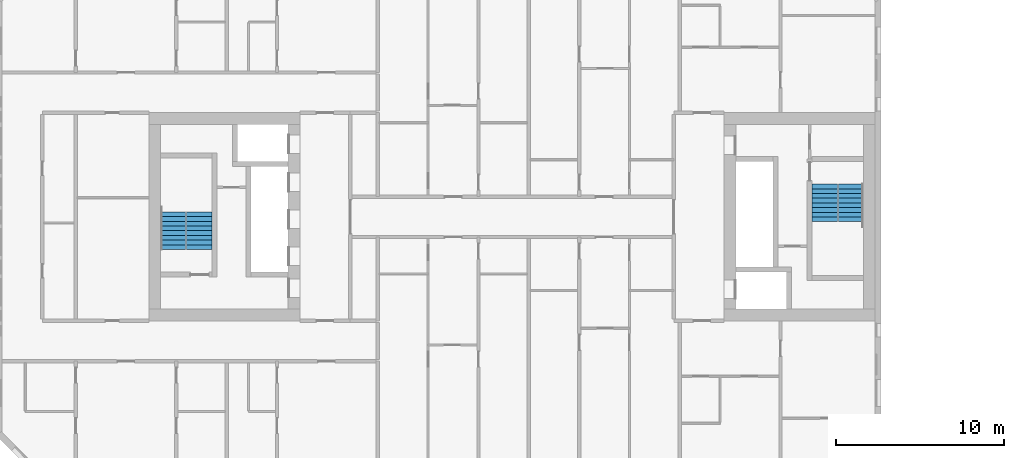
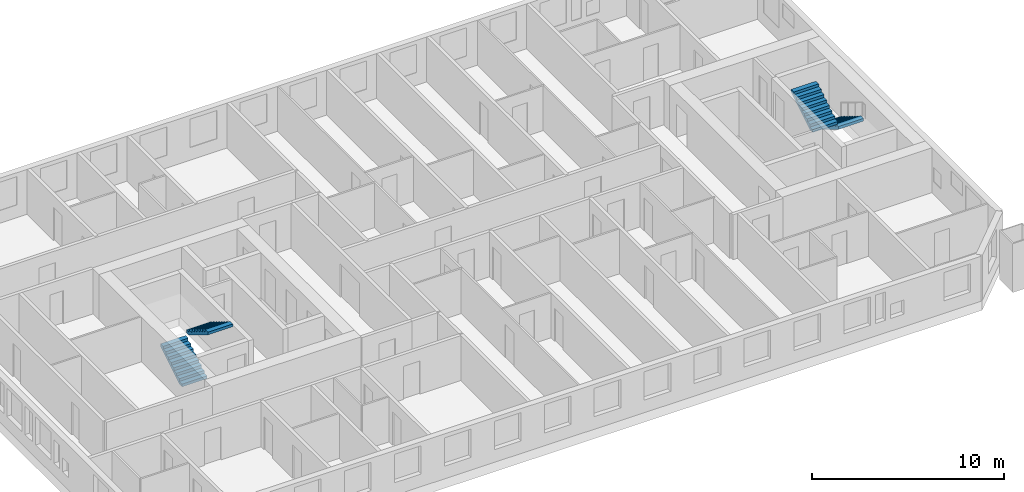
# One storey, part 16 of 17: 4 stair flights, 2 elements without a shape of their own.
"""IFC4 building model written with IfcOpenShell, lengths in metres."""

from ifc_helpers import new_model, si_unit, direction, frame, origin, place, context, subcontext, project, spatial, faceted_brep, material, type_object, element, aggregate, save


model = new_model("IFC4")

# Units and contexts
model_context = context("Model", 3, precision=1e-05, world=origin(), true_north=direction((0.0, 1.0)))
body_context = subcontext(model_context, "Body", "Model", "MODEL_VIEW")
ifc_project = project(units=[si_unit("LENGTHUNIT", "METRE"), si_unit("AREAUNIT", "SQUARE_METRE"), si_unit("VOLUMEUNIT", "CUBIC_METRE"), si_unit("PLANEANGLEUNIT", "RADIAN"), si_unit("MASSUNIT", "GRAM", prefix="KILO")], contexts=[model_context])

# Site, building, storey
site_placement = place(None, origin())
site = spatial("IfcSite", under=ifc_project, at=site_placement, CompositionType="ELEMENT")
building_placement = place(site_placement, origin())
building = spatial("IfcBuilding", under=site, at=building_placement, Name="Tuart Gate Housing", CompositionType="ELEMENT")
storey_placement = place(building_placement, frame((0.0, 0.0, 71.60009765625)))
storey = spatial("IfcBuildingStorey", under=building, at=storey_placement, Name="L19", CompositionType="ELEMENT", Elevation=71.60009765625)

# Stair, stair flights
ifc_material_1 = material(Name="Concrete C40", Category="concrete")
stair_type = type_object("IfcStairType", Name="Core stair 1500", PredefinedType="HALF_TURN_STAIR", material=ifc_material_1)
stair_1_placement = place(storey_placement, origin())
stair_1 = element("IfcStair", 1, at=stair_1_placement, inside=storey, type_object=stair_type, Name="Stair SA1", PredefinedType="HALF_TURN_STAIR")
ifc_material_2 = material(Name="Concrete C40", Category="concrete")
stair_flight_type = type_object("IfcStairFlightType", Name="Stair flight 1500, 9 risers 172 x 280", PredefinedType="STRAIGHT", material=ifc_material_2)
stair_flight_1_placement = place(storey_placement, frame((74.18994140625, 71.949951171875, 0.0), z_axis=(0.0, 0.0, 1.0), x_axis=(0.0, -1.0, 0.0)))
stair_flight_1 = element("IfcStairFlight", 2, at=stair_flight_1_placement, type_object=stair_flight_type, Name="SA1 flight 1", NumberOfRisers=9, NumberOfTreads=8, PredefinedType="STRAIGHT", RiserHeight=0.172222222, TreadLength=0.28, context=body_context, shape_type="Brep", body=[
    faceted_brep([(0.0, 0.75, 0.0), (0.0, 0.75, 0.172119140625), (0.280029296875, 0.75, 0.172119140625), (0.280029296875, 0.75, 0.344482421875), (0.56005859375, 0.75, 0.344482421875), (0.56005859375, 0.75, 0.5166015625), (0.840087890625, 0.75, 0.5166015625), (0.840087890625, 0.75, 0.68896484375), (1.1201171875, 0.75, 0.68896484375), (1.1201171875, 0.75, 0.861083984375), (1.39990234375, 0.75, 0.861083984375), (1.39990234375, 0.75, 1.033447265625), (1.679931640625, 0.75, 1.033447265625), (1.679931640625, 0.75, 1.20556640625), (1.9599609375, 0.75, 1.20556640625), (1.9599609375, 0.75, 1.377685546875), (2.239990234375, 0.75, 1.377685546875), (2.239990234375, 0.75, 1.201904296875), (0.2861328125, 0.75, 0.0), (0.2861328125, -0.75, 0.0), (2.239990234375, -0.75, 1.201904296875), (2.239990234375, -0.75, 1.377685546875), (1.9599609375, -0.75, 1.377685546875), (1.9599609375, -0.75, 1.20556640625), (1.679931640625, -0.75, 1.20556640625), (1.679931640625, -0.75, 1.033447265625), (1.39990234375, -0.75, 1.033447265625), (1.39990234375, -0.75, 0.861083984375), (1.1201171875, -0.75, 0.861083984375), (1.1201171875, -0.75, 0.68896484375), (0.840087890625, -0.75, 0.68896484375), (0.840087890625, -0.75, 0.5166015625), (0.56005859375, -0.75, 0.5166015625), (0.56005859375, -0.75, 0.344482421875), (0.280029296875, -0.75, 0.344482421875), (0.280029296875, -0.75, 0.172119140625), (0.0, -0.75, 0.172119140625), (0.0, -0.75, 0.0), (2.239990234375, 0.0, 1.201904296875), (0.2861328125, 0.0, 0.0), (2.239990234375, 0.0, 1.377685546875), (1.9599609375, 0.0, 1.377685546875), (1.9599609375, 0.0, 1.20556640625), (1.679931640625, 0.0, 1.20556640625), (1.679931640625, 0.0, 1.033447265625), (1.39990234375, 0.0, 1.033447265625), (1.39990234375, 0.0, 0.861083984375), (1.1201171875, 0.0, 0.861083984375), (1.1201171875, 0.0, 0.68896484375), (0.840087890625, 0.0, 0.68896484375), (0.840087890625, 0.0, 0.5166015625), (0.56005859375, 0.0, 0.5166015625), (0.56005859375, 0.0, 0.344482421875), (0.280029296875, 0.0, 0.344482421875), (0.280029296875, 0.0, 0.172119140625), (0.0, 0.0, 0.172119140625), (0.0, 0.0, 0.0)], [[[0, 1, 2, 3, 4, 5, 6, 7, 8, 9, 10, 11, 12, 13, 14, 15, 16, 17, 18]], [[19, 20, 21, 22, 23, 24, 25, 26, 27, 28, 29, 30, 31, 32, 33, 34, 35, 36, 37]], [[18, 17, 38, 39]], [[39, 38, 20, 19]], [[17, 16, 40, 38]], [[38, 40, 21, 20]], [[16, 15, 41, 40]], [[40, 41, 22, 21]], [[15, 14, 42, 41]], [[41, 42, 23, 22]], [[14, 13, 43, 42]], [[42, 43, 24, 23]], [[13, 12, 44, 43]], [[43, 44, 25, 24]], [[12, 11, 45, 44]], [[44, 45, 26, 25]], [[11, 10, 46, 45]], [[45, 46, 27, 26]], [[10, 9, 47, 46]], [[46, 47, 28, 27]], [[9, 8, 48, 47]], [[47, 48, 29, 28]], [[8, 7, 49, 48]], [[48, 49, 30, 29]], [[7, 6, 50, 49]], [[49, 50, 31, 30]], [[6, 5, 51, 50]], [[50, 51, 32, 31]], [[5, 4, 52, 51]], [[51, 52, 33, 32]], [[4, 3, 53, 52]], [[52, 53, 34, 33]], [[3, 2, 54, 53]], [[53, 54, 35, 34]], [[2, 1, 55, 54]], [[54, 55, 36, 35]], [[1, 0, 56, 55]], [[55, 56, 37, 36]], [[0, 18, 39, 56]], [[56, 39, 19, 37]]]),
])
stair_flight_2_placement = place(storey_placement, frame((72.639892578125, 69.7099609375, 1.5498046875), z_axis=(0.0, 0.0, 1.0), x_axis=(0.0, 1.0, 0.0)))
stair_flight_2 = element("IfcStairFlight", 3, at=stair_flight_2_placement, type_object=stair_flight_type, Name="SA1 flight 2", NumberOfRisers=9, NumberOfTreads=8, PredefinedType="STRAIGHT", RiserHeight=0.172222222, TreadLength=0.28, context=body_context, shape_type="Brep", body=[
    faceted_brep([(0.0, 0.75, 0.0), (0.0, 0.75, 0.172119140625), (0.280029296875, 0.75, 0.172119140625), (0.280029296875, 0.75, 0.344482421875), (0.56005859375, 0.75, 0.344482421875), (0.56005859375, 0.75, 0.5166015625), (0.840087890625, 0.75, 0.5166015625), (0.840087890625, 0.75, 0.68896484375), (1.1201171875, 0.75, 0.68896484375), (1.1201171875, 0.75, 0.861083984375), (1.39990234375, 0.75, 0.861083984375), (1.39990234375, 0.75, 1.033447265625), (1.679931640625, 0.75, 1.033447265625), (1.679931640625, 0.75, 1.20556640625), (1.9599609375, 0.75, 1.20556640625), (1.9599609375, 0.75, 1.377685546875), (2.239990234375, 0.75, 1.377685546875), (2.239990234375, 0.75, 1.201904296875), (0.2861328125, 0.75, 0.0), (0.2861328125, -0.75, 0.0), (2.239990234375, -0.75, 1.201904296875), (2.239990234375, -0.75, 1.377685546875), (1.9599609375, -0.75, 1.377685546875), (1.9599609375, -0.75, 1.20556640625), (1.679931640625, -0.75, 1.20556640625), (1.679931640625, -0.75, 1.033447265625), (1.39990234375, -0.75, 1.033447265625), (1.39990234375, -0.75, 0.861083984375), (1.1201171875, -0.75, 0.861083984375), (1.1201171875, -0.75, 0.68896484375), (0.840087890625, -0.75, 0.68896484375), (0.840087890625, -0.75, 0.5166015625), (0.56005859375, -0.75, 0.5166015625), (0.56005859375, -0.75, 0.344482421875), (0.280029296875, -0.75, 0.344482421875), (0.280029296875, -0.75, 0.172119140625), (0.0, -0.75, 0.172119140625), (0.0, -0.75, 0.0), (2.239990234375, 0.0, 1.201904296875), (0.2861328125, 0.0, 0.0), (2.239990234375, 0.0, 1.377685546875), (1.9599609375, 0.0, 1.377685546875), (1.9599609375, 0.0, 1.20556640625), (1.679931640625, 0.0, 1.20556640625), (1.679931640625, 0.0, 1.033447265625), (1.39990234375, 0.0, 1.033447265625), (1.39990234375, 0.0, 0.861083984375), (1.1201171875, 0.0, 0.861083984375), (1.1201171875, 0.0, 0.68896484375), (0.840087890625, 0.0, 0.68896484375), (0.840087890625, 0.0, 0.5166015625), (0.56005859375, 0.0, 0.5166015625), (0.56005859375, 0.0, 0.344482421875), (0.280029296875, 0.0, 0.344482421875), (0.280029296875, 0.0, 0.172119140625), (0.0, 0.0, 0.172119140625), (0.0, 0.0, 0.0)], [[[0, 1, 2, 3, 4, 5, 6, 7, 8, 9, 10, 11, 12, 13, 14, 15, 16, 17, 18]], [[19, 20, 21, 22, 23, 24, 25, 26, 27, 28, 29, 30, 31, 32, 33, 34, 35, 36, 37]], [[18, 17, 38, 39]], [[39, 38, 20, 19]], [[17, 16, 40, 38]], [[38, 40, 21, 20]], [[16, 15, 41, 40]], [[40, 41, 22, 21]], [[15, 14, 42, 41]], [[41, 42, 23, 22]], [[14, 13, 43, 42]], [[42, 43, 24, 23]], [[13, 12, 44, 43]], [[43, 44, 25, 24]], [[12, 11, 45, 44]], [[44, 45, 26, 25]], [[11, 10, 46, 45]], [[45, 46, 27, 26]], [[10, 9, 47, 46]], [[46, 47, 28, 27]], [[9, 8, 48, 47]], [[47, 48, 29, 28]], [[8, 7, 49, 48]], [[48, 49, 30, 29]], [[7, 6, 50, 49]], [[49, 50, 31, 30]], [[6, 5, 51, 50]], [[50, 51, 32, 31]], [[5, 4, 52, 51]], [[51, 52, 33, 32]], [[4, 3, 53, 52]], [[52, 53, 34, 33]], [[3, 2, 54, 53]], [[53, 54, 35, 34]], [[2, 1, 55, 54]], [[54, 55, 36, 35]], [[1, 0, 56, 55]], [[55, 56, 37, 36]], [[0, 18, 39, 56]], [[56, 39, 19, 37]]]),
])
aggregate(stair_1, [stair_flight_1, stair_flight_2])

stair_2_placement = place(storey_placement, origin())
stair_2 = element("IfcStair", 4, at=stair_2_placement, inside=storey, type_object=stair_type, Name="Stair SA2", PredefinedType="HALF_TURN_STAIR")
stair_flight_3_placement = place(storey_placement, frame((33.81005859375, 68.050048828125, 0.0), z_axis=(0.0, 0.0, 1.0), x_axis=(0.0, 1.0, 0.0)))
stair_flight_3 = element("IfcStairFlight", 5, at=stair_flight_3_placement, type_object=stair_flight_type, Name="SA2 flight 1", NumberOfRisers=9, NumberOfTreads=8, PredefinedType="STRAIGHT", RiserHeight=0.172222222, TreadLength=0.28, context=body_context, shape_type="Brep", body=[
    faceted_brep([(0.0, 0.75, 0.0), (0.0, 0.75, 0.172119140625), (0.280029296875, 0.75, 0.172119140625), (0.280029296875, 0.75, 0.344482421875), (0.56005859375, 0.75, 0.344482421875), (0.56005859375, 0.75, 0.5166015625), (0.840087890625, 0.75, 0.5166015625), (0.840087890625, 0.75, 0.68896484375), (1.1201171875, 0.75, 0.68896484375), (1.1201171875, 0.75, 0.861083984375), (1.39990234375, 0.75, 0.861083984375), (1.39990234375, 0.75, 1.033447265625), (1.679931640625, 0.75, 1.033447265625), (1.679931640625, 0.75, 1.20556640625), (1.9599609375, 0.75, 1.20556640625), (1.9599609375, 0.75, 1.377685546875), (2.239990234375, 0.75, 1.377685546875), (2.239990234375, 0.75, 1.201904296875), (0.2861328125, 0.75, 0.0), (0.2861328125, -0.75, 0.0), (2.239990234375, -0.75, 1.201904296875), (2.239990234375, -0.75, 1.377685546875), (1.9599609375, -0.75, 1.377685546875), (1.9599609375, -0.75, 1.20556640625), (1.679931640625, -0.75, 1.20556640625), (1.679931640625, -0.75, 1.033447265625), (1.39990234375, -0.75, 1.033447265625), (1.39990234375, -0.75, 0.861083984375), (1.1201171875, -0.75, 0.861083984375), (1.1201171875, -0.75, 0.68896484375), (0.840087890625, -0.75, 0.68896484375), (0.840087890625, -0.75, 0.5166015625), (0.56005859375, -0.75, 0.5166015625), (0.56005859375, -0.75, 0.344482421875), (0.280029296875, -0.75, 0.344482421875), (0.280029296875, -0.75, 0.172119140625), (0.0, -0.75, 0.172119140625), (0.0, -0.75, 0.0), (2.239990234375, 0.0, 1.201904296875), (0.2861328125, 0.0, 0.0), (2.239990234375, 0.0, 1.377685546875), (1.9599609375, 0.0, 1.377685546875), (1.9599609375, 0.0, 1.20556640625), (1.679931640625, 0.0, 1.20556640625), (1.679931640625, 0.0, 1.033447265625), (1.39990234375, 0.0, 1.033447265625), (1.39990234375, 0.0, 0.861083984375), (1.1201171875, 0.0, 0.861083984375), (1.1201171875, 0.0, 0.68896484375), (0.840087890625, 0.0, 0.68896484375), (0.840087890625, 0.0, 0.5166015625), (0.56005859375, 0.0, 0.5166015625), (0.56005859375, 0.0, 0.344482421875), (0.280029296875, 0.0, 0.344482421875), (0.280029296875, 0.0, 0.172119140625), (0.0, 0.0, 0.172119140625), (0.0, 0.0, 0.0)], [[[0, 1, 2, 3, 4, 5, 6, 7, 8, 9, 10, 11, 12, 13, 14, 15, 16, 17, 18]], [[19, 20, 21, 22, 23, 24, 25, 26, 27, 28, 29, 30, 31, 32, 33, 34, 35, 36, 37]], [[18, 17, 38, 39]], [[39, 38, 20, 19]], [[17, 16, 40, 38]], [[38, 40, 21, 20]], [[16, 15, 41, 40]], [[40, 41, 22, 21]], [[15, 14, 42, 41]], [[41, 42, 23, 22]], [[14, 13, 43, 42]], [[42, 43, 24, 23]], [[13, 12, 44, 43]], [[43, 44, 25, 24]], [[12, 11, 45, 44]], [[44, 45, 26, 25]], [[11, 10, 46, 45]], [[45, 46, 27, 26]], [[10, 9, 47, 46]], [[46, 47, 28, 27]], [[9, 8, 48, 47]], [[47, 48, 29, 28]], [[8, 7, 49, 48]], [[48, 49, 30, 29]], [[7, 6, 50, 49]], [[49, 50, 31, 30]], [[6, 5, 51, 50]], [[50, 51, 32, 31]], [[5, 4, 52, 51]], [[51, 52, 33, 32]], [[4, 3, 53, 52]], [[52, 53, 34, 33]], [[3, 2, 54, 53]], [[53, 54, 35, 34]], [[2, 1, 55, 54]], [[54, 55, 36, 35]], [[1, 0, 56, 55]], [[55, 56, 37, 36]], [[0, 18, 39, 56]], [[56, 39, 19, 37]]]),
])
stair_flight_4_placement = place(storey_placement, frame((35.360107421875, 70.2900390625, 1.5498046875), z_axis=(0.0, 0.0, 1.0), x_axis=(0.0, -1.0, 0.0)))
stair_flight_4 = element("IfcStairFlight", 6, at=stair_flight_4_placement, type_object=stair_flight_type, Name="SA2 flight 2", NumberOfRisers=9, NumberOfTreads=8, PredefinedType="STRAIGHT", RiserHeight=0.172222222, TreadLength=0.28, context=body_context, shape_type="Brep", body=[
    faceted_brep([(0.0, 0.75, 0.0), (0.0, 0.75, 0.172119140625), (0.280029296875, 0.75, 0.172119140625), (0.280029296875, 0.75, 0.344482421875), (0.56005859375, 0.75, 0.344482421875), (0.56005859375, 0.75, 0.5166015625), (0.840087890625, 0.75, 0.5166015625), (0.840087890625, 0.75, 0.68896484375), (1.1201171875, 0.75, 0.68896484375), (1.1201171875, 0.75, 0.861083984375), (1.39990234375, 0.75, 0.861083984375), (1.39990234375, 0.75, 1.033447265625), (1.679931640625, 0.75, 1.033447265625), (1.679931640625, 0.75, 1.20556640625), (1.9599609375, 0.75, 1.20556640625), (1.9599609375, 0.75, 1.377685546875), (2.239990234375, 0.75, 1.377685546875), (2.239990234375, 0.75, 1.201904296875), (0.2861328125, 0.75, 0.0), (0.2861328125, -0.75, 0.0), (2.239990234375, -0.75, 1.201904296875), (2.239990234375, -0.75, 1.377685546875), (1.9599609375, -0.75, 1.377685546875), (1.9599609375, -0.75, 1.20556640625), (1.679931640625, -0.75, 1.20556640625), (1.679931640625, -0.75, 1.033447265625), (1.39990234375, -0.75, 1.033447265625), (1.39990234375, -0.75, 0.861083984375), (1.1201171875, -0.75, 0.861083984375), (1.1201171875, -0.75, 0.68896484375), (0.840087890625, -0.75, 0.68896484375), (0.840087890625, -0.75, 0.5166015625), (0.56005859375, -0.75, 0.5166015625), (0.56005859375, -0.75, 0.344482421875), (0.280029296875, -0.75, 0.344482421875), (0.280029296875, -0.75, 0.172119140625), (0.0, -0.75, 0.172119140625), (0.0, -0.75, 0.0), (2.239990234375, 0.0, 1.201904296875), (0.2861328125, 0.0, 0.0), (2.239990234375, 0.0, 1.377685546875), (1.9599609375, 0.0, 1.377685546875), (1.9599609375, 0.0, 1.20556640625), (1.679931640625, 0.0, 1.20556640625), (1.679931640625, 0.0, 1.033447265625), (1.39990234375, 0.0, 1.033447265625), (1.39990234375, 0.0, 0.861083984375), (1.1201171875, 0.0, 0.861083984375), (1.1201171875, 0.0, 0.68896484375), (0.840087890625, 0.0, 0.68896484375), (0.840087890625, 0.0, 0.5166015625), (0.56005859375, 0.0, 0.5166015625), (0.56005859375, 0.0, 0.344482421875), (0.280029296875, 0.0, 0.344482421875), (0.280029296875, 0.0, 0.172119140625), (0.0, 0.0, 0.172119140625), (0.0, 0.0, 0.0)], [[[0, 1, 2, 3, 4, 5, 6, 7, 8, 9, 10, 11, 12, 13, 14, 15, 16, 17, 18]], [[19, 20, 21, 22, 23, 24, 25, 26, 27, 28, 29, 30, 31, 32, 33, 34, 35, 36, 37]], [[18, 17, 38, 39]], [[39, 38, 20, 19]], [[17, 16, 40, 38]], [[38, 40, 21, 20]], [[16, 15, 41, 40]], [[40, 41, 22, 21]], [[15, 14, 42, 41]], [[41, 42, 23, 22]], [[14, 13, 43, 42]], [[42, 43, 24, 23]], [[13, 12, 44, 43]], [[43, 44, 25, 24]], [[12, 11, 45, 44]], [[44, 45, 26, 25]], [[11, 10, 46, 45]], [[45, 46, 27, 26]], [[10, 9, 47, 46]], [[46, 47, 28, 27]], [[9, 8, 48, 47]], [[47, 48, 29, 28]], [[8, 7, 49, 48]], [[48, 49, 30, 29]], [[7, 6, 50, 49]], [[49, 50, 31, 30]], [[6, 5, 51, 50]], [[50, 51, 32, 31]], [[5, 4, 52, 51]], [[51, 52, 33, 32]], [[4, 3, 53, 52]], [[52, 53, 34, 33]], [[3, 2, 54, 53]], [[53, 54, 35, 34]], [[2, 1, 55, 54]], [[54, 55, 36, 35]], [[1, 0, 56, 55]], [[55, 56, 37, 36]], [[0, 18, 39, 56]], [[56, 39, 19, 37]]]),
])
aggregate(stair_2, [stair_flight_3, stair_flight_4])

save(model, "model.ifc")
